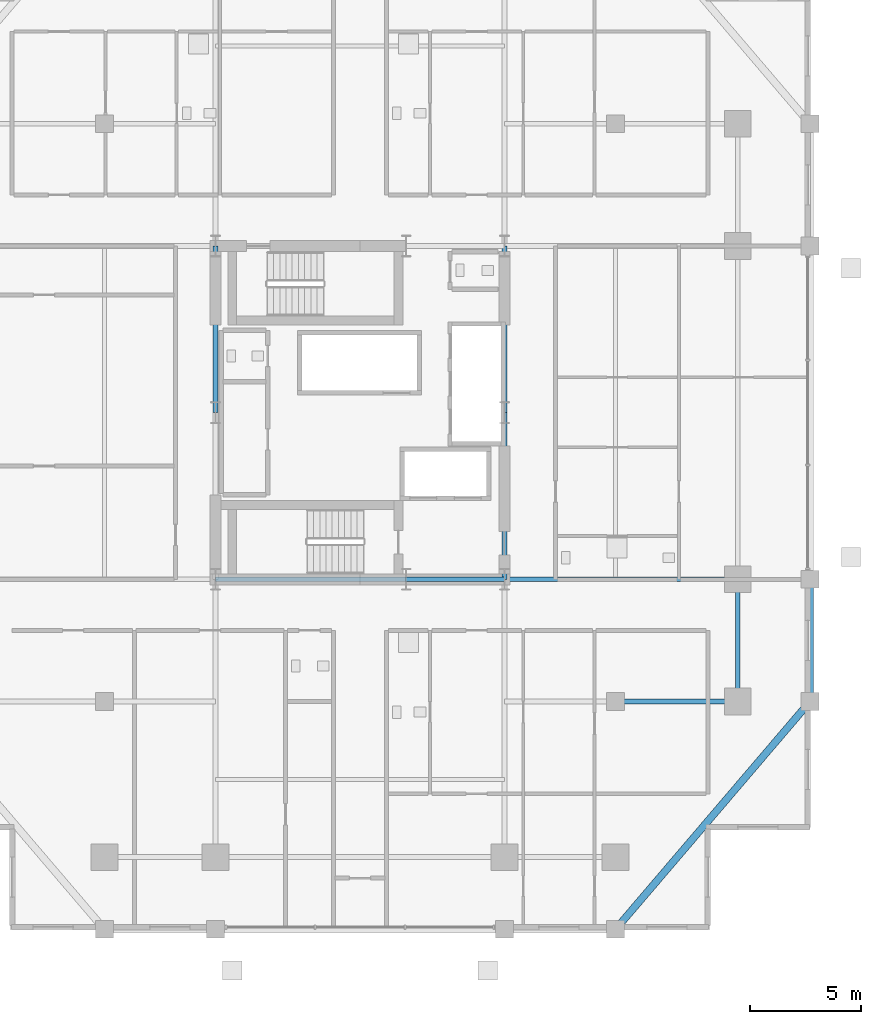
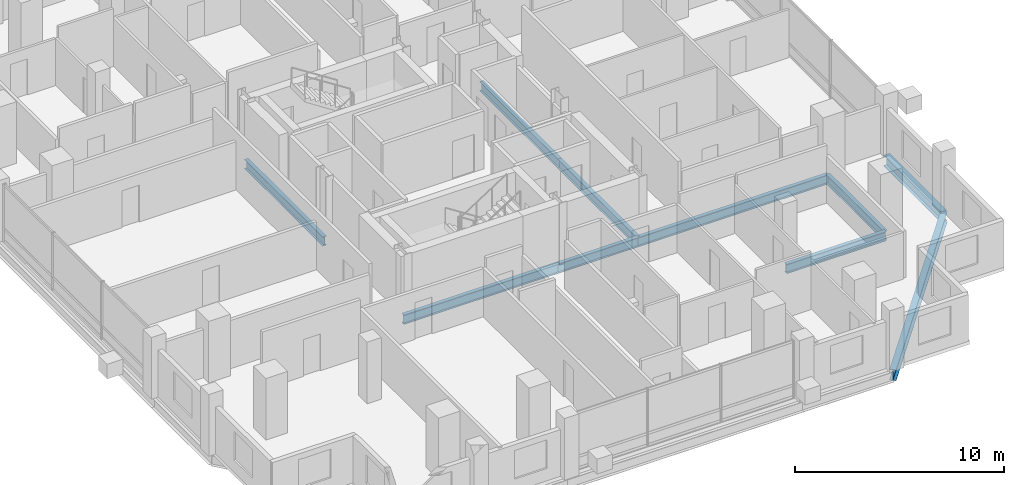
# One storey, part 6 of 20: 10 beams.
"""IFC4 building model written with IfcOpenShell, lengths in metres."""

from ifc_helpers import new_model, si_unit, direction, frame, origin, origin_2d, place, context, subcontext, project, spatial, i_section, extrude, material, material_profile, profile_set, type_object, element, save


model = new_model("IFC4")

# Units and contexts
model_context = context("Model", 3, precision=1e-05, world=origin(), true_north=direction((0.0, 1.0)))
body_context = subcontext(model_context, "Body", "Model", "MODEL_VIEW")
ifc_project = project(units=[si_unit("LENGTHUNIT", "METRE"), si_unit("AREAUNIT", "SQUARE_METRE"), si_unit("VOLUMEUNIT", "CUBIC_METRE"), si_unit("PLANEANGLEUNIT", "RADIAN"), si_unit("MASSUNIT", "GRAM", prefix="KILO")], contexts=[model_context])

# Site, building, storey
site_placement = place(None, origin())
site = spatial("IfcSite", under=ifc_project, at=site_placement, CompositionType="ELEMENT")
building_placement = place(site_placement, origin())
building = spatial("IfcBuilding", under=site, at=building_placement, Name="Barlavira Tower and Art Museum", CompositionType="ELEMENT")
storey_placement = place(building_placement, frame((0.0, 0.0, 147.60009765625)))
storey = spatial("IfcBuildingStorey", under=building, at=storey_placement, Name="L37", CompositionType="ELEMENT", Elevation=147.60009765625)

# Beams
ifc_material = material(Name="Steel S355", Category="steel")
ifc_material_profile_1 = material_profile(ifc_material, i_section(OverallWidth=0.327880859375, OverallDepth=0.62890625, WebThickness=0.013916015625, FlangeThickness=0.021484375, at=origin_2d()), Name="W610x174.0")
ifc_profile_set_1 = profile_set([ifc_material_profile_1], Name="Steel S355")
beam_type_1 = type_object("IfcBeamType", Name="Perimeter Spandrel Edge Beam W610x174 Steel S355", PredefinedType="SPANDREL", material=ifc_profile_set_1)
beam_1_placement = place(storey_placement, frame((11.5, -23.25, -0.53466796875), z_axis=(0.649262379928, 0.760564502202, 0.0), x_axis=(-0.760564502202, 0.649262379928, 0.0)))
element("IfcBeam", 1, at=beam_1_placement, inside=storey, type_object=beam_type_1, Name="L37 Spandrel 4", PredefinedType="SPANDREL", context=body_context, shape_type="SweptSolid", body=[
    extrude(i_section(OverallWidth=0.327880859375, OverallDepth=0.62890625, WebThickness=0.013916015625, FlangeThickness=0.021484375, at=origin_2d()), origin(), (0.0, 0.0, 1.0), 13.476806640625),
])
beam_2_placement = place(storey_placement, frame((20.25, -13.0, -0.53466796875), z_axis=(0.0, 1.0, 0.0), x_axis=(-1.0, 0.0, 0.0)))
element("IfcBeam", 2, at=beam_2_placement, inside=storey, type_object=beam_type_1, Name="L37 Spandrel 5", PredefinedType="SPANDREL", context=body_context, shape_type="SweptSolid", body=[
    extrude(i_section(OverallWidth=0.327880859375, OverallDepth=0.62890625, WebThickness=0.013916015625, FlangeThickness=0.021484375, at=origin_2d()), origin(), (0.0, 0.0, 1.0), 5.5),
])
ifc_material_profile_2 = material_profile(ifc_material, i_section(OverallWidth=0.214111328125, OverallDepth=0.549072265625, WebThickness=0.0146484375, FlangeThickness=0.023681640625, at=origin_2d()), Name="W530x138.0")
ifc_profile_set_2 = profile_set([ifc_material_profile_2], Name="Steel S355")
beam_type_2 = type_object("IfcBeamType", Name="Zone 1 Primary Floor Girder W530x138 Steel S355", PredefinedType="BEAM", material=ifc_profile_set_2)
beam_3_placement = place(storey_placement, frame((-6.5, -7.5, -0.49462890625), z_axis=(1.0, 0.0, 0.0), x_axis=(0.0, 1.0, 0.0)))
element("IfcBeam", 3, at=beam_3_placement, inside=storey, type_object=beam_type_2, Name="L37 Girder C-S1", PredefinedType="BEAM", context=body_context, shape_type="SweptSolid", body=[
    extrude(i_section(OverallWidth=0.214111328125, OverallDepth=0.549072265625, WebThickness=0.0146484375, FlangeThickness=0.023681640625, at=origin_2d()), origin(), (0.0, 0.0, 1.0), 8.580078125),
])
beam_4_placement = place(storey_placement, frame((2.080078125, -7.5, -0.49462890625), z_axis=(1.0, 0.0, 0.0), x_axis=(0.0, 1.0, 0.0)))
element("IfcBeam", 4, at=beam_4_placement, inside=storey, type_object=beam_type_2, Name="L37 Girder C-S2", PredefinedType="BEAM", context=body_context, shape_type="SweptSolid", body=[
    extrude(i_section(OverallWidth=0.214111328125, OverallDepth=0.549072265625, WebThickness=0.0146484375, FlangeThickness=0.023681640625, at=origin_2d()), origin(), (0.0, 0.0, 1.0), 4.419921875),
])
for number, where, z_axis, x_axis, name in (
    (5, (-6.5, 0.0, -0.49462890625), (0.0, 1.0, 0.0), (-1.0, 0.0, 0.0), "L37 Girder C-W2"),
    (6, (6.5, -7.5, -0.49462890625), (0.0, 1.0, 0.0), (-1.0, 0.0, 0.0), "L37 Girder C-E1"),
    (7, (6.5, 0.0, -0.49462890625), (0.0, 1.0, 0.0), (-1.0, 0.0, 0.0), "L37 Girder C-E2"),
):
    element("IfcBeam", number, at=place(storey_placement, frame(where, z_axis=z_axis, x_axis=x_axis)), inside=storey, type_object=beam_type_2, Name=name, PredefinedType="BEAM", context=body_context, shape_type="SweptSolid", body=[
        extrude(i_section(OverallWidth=0.214111328125, OverallDepth=0.549072265625, WebThickness=0.0146484375, FlangeThickness=0.023681640625, at=origin_2d()), origin(), (0.0, 0.0, 1.0), 7.5),
    ])
beam_5_placement = place(storey_placement, frame((17.0, -13.0, -0.49462890625), z_axis=(0.0, 1.0, 0.0), x_axis=(-1.0, 0.0, 0.0)))
element("IfcBeam", 8, at=beam_5_placement, inside=storey, type_object=beam_type_2, Name="L37 Girder M-E1", PredefinedType="BEAM", context=body_context, shape_type="SweptSolid", body=[
    extrude(i_section(OverallWidth=0.214111328125, OverallDepth=0.549072265625, WebThickness=0.0146484375, FlangeThickness=0.023681640625, at=origin_2d()), origin(), (0.0, 0.0, 1.0), 5.5),
])
beam_6_placement = place(storey_placement, frame((6.5, -7.5, -0.49462890625), z_axis=(1.0, 0.0, 0.0), x_axis=(0.0, 1.0, 0.0)))
element("IfcBeam", 9, at=beam_6_placement, inside=storey, type_object=beam_type_2, Name="L37 Girder R-E1", PredefinedType="BEAM", context=body_context, shape_type="SweptSolid", body=[
    extrude(i_section(OverallWidth=0.214111328125, OverallDepth=0.549072265625, WebThickness=0.0146484375, FlangeThickness=0.023681640625, at=origin_2d()), origin(), (0.0, 0.0, 1.0), 10.5),
])
beam_7_placement = place(storey_placement, frame((11.5, -13.0, -0.49462890625), z_axis=(1.0, 0.0, 0.0), x_axis=(0.0, 1.0, 0.0)))
element("IfcBeam", 10, at=beam_7_placement, inside=storey, type_object=beam_type_2, Name="L37 Girder I-S4", PredefinedType="BEAM", context=body_context, shape_type="SweptSolid", body=[
    extrude(i_section(OverallWidth=0.214111328125, OverallDepth=0.549072265625, WebThickness=0.0146484375, FlangeThickness=0.023681640625, at=origin_2d()), origin(), (0.0, 0.0, 1.0), 5.5),
])

save(model, "model.ifc")
